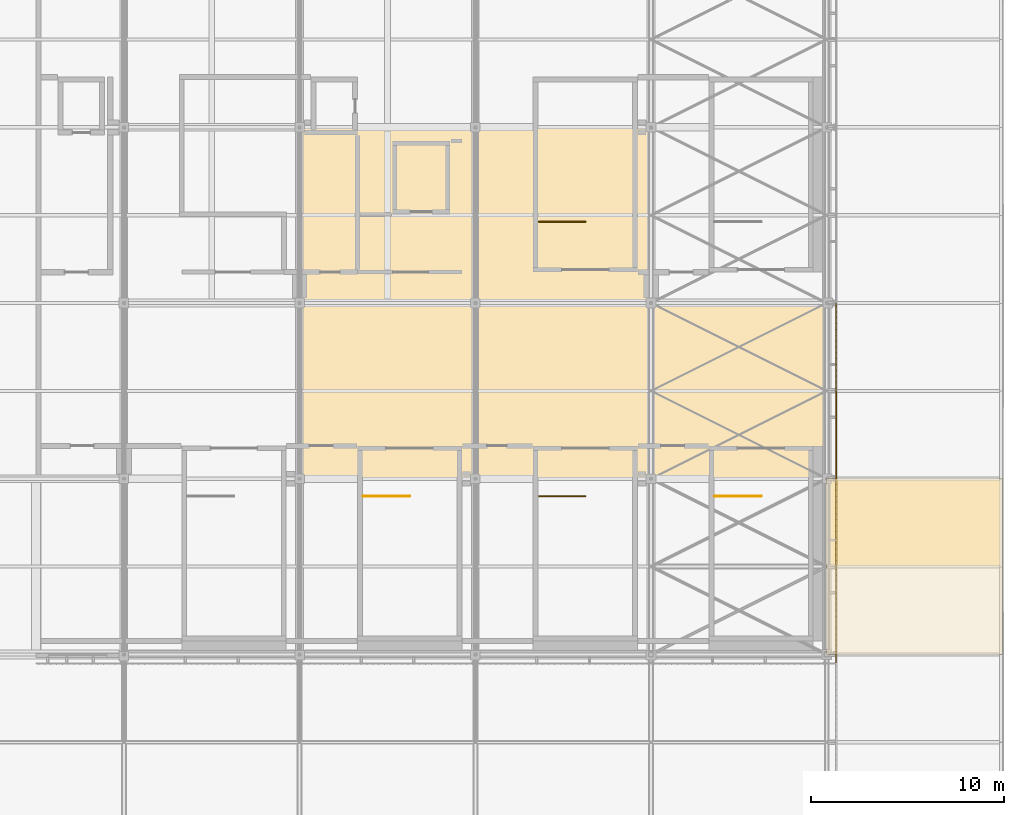
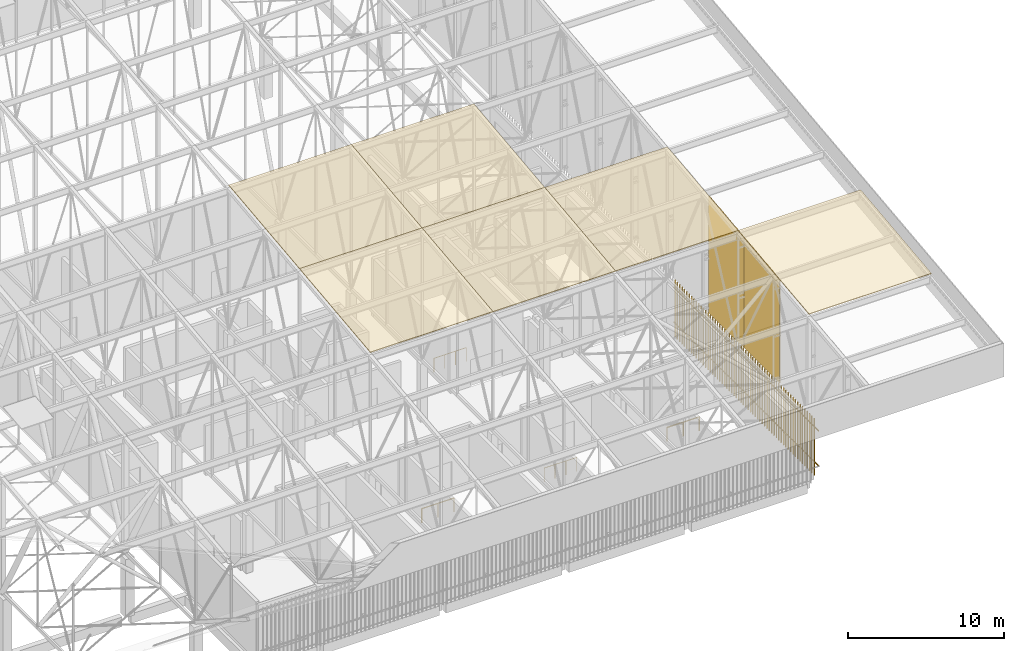
# One storey, part 487 of 500: 7 coverings, 4 railings, 4 shading devices.
"""IFC4 building model written with IfcOpenShell, lengths in metres."""

from ifc_helpers import new_model, si_unit, direction, frame, origin, origin_2d, place, context, subcontext, project, spatial, polyline, rectangle, circle, outline, extrude, material, layer, layer_set, type_object, element, save


model = new_model("IFC4")

# Units and contexts
model_context = context("Model", 3, precision=1e-05, world=origin(), true_north=direction((0.0, 1.0)))
body_context = subcontext(model_context, "Body", "Model", "MODEL_VIEW")
ifc_project = project(units=[si_unit("LENGTHUNIT", "METRE"), si_unit("AREAUNIT", "SQUARE_METRE"), si_unit("VOLUMEUNIT", "CUBIC_METRE"), si_unit("PLANEANGLEUNIT", "RADIAN"), si_unit("MASSUNIT", "GRAM", prefix="KILO")], contexts=[model_context])

# Site, building, storey
site_placement = place(None, origin())
site = spatial("IfcSite", under=ifc_project, at=site_placement, CompositionType="ELEMENT")
building_placement = place(site_placement, origin())
building = spatial("IfcBuilding", under=site, at=building_placement, Name="Shirokan Park Arena", CompositionType="ELEMENT")
storey_placement = place(building_placement, frame((0.0, 0.0, 29.1201171875)))
storey = spatial("IfcBuildingStorey", under=building, at=storey_placement, Name="L06", CompositionType="ELEMENT", Elevation=29.1201171875)

# Coverings
ifc_material_1 = material(Name="Bituminous roofing membrane")
ifc_layer_1 = layer(ifc_material_1, 0.010009765625, Name="Bituminous roofing membrane")
ifc_material_2 = material(Name="Mineral wool insulation")
ifc_layer_2 = layer(ifc_material_2, 0.050048828125, Name="Mineral wool insulation")
ifc_layer_set_1 = layer_set([ifc_layer_1, ifc_layer_2], Name="Bituminous roofing membrane + Mineral wool insulation")
covering_type_1 = type_object("IfcCoveringType", Name="Roofing membrane 60", PredefinedType="ROOFING", material=ifc_layer_set_1)
covering_1_placement = place(storey_placement, frame((118.300048828125, 9.10009765625, 13.970703125), z_axis=(0.0, -0.113552605302, 0.993531985308), x_axis=(1.0, 0.0, 0.0)))
element("IfcCovering", 1, at=covering_1_placement, inside=storey, type_object=covering_type_1, Name="Roofing", PredefinedType="ROOFING", context=body_context, shape_type="SweptSolid", body=[
    extrude(outline(polyline([(0.0, 0.0), (9.099853515625, 0.0), (9.099853515625, 9.159094674549365), (0.0, 9.159094674549365), (0.0, 0.0)])), origin(), (0.0, 0.0, -1.0), 0.06005859375),
])
covering_2_placement = place(storey_placement, frame((118.300048828125, 18.199951171875, 15.0107421875), z_axis=(0.0, -0.113549598152, 0.993532328996), x_axis=(1.0, 0.0, 0.0)))
element("IfcCovering", 2, at=covering_2_placement, inside=storey, type_object=covering_type_1, Name="Roofing", PredefinedType="ROOFING", context=body_context, shape_type="SweptSolid", body=[
    extrude(outline(polyline([(0.0, 0.0), (9.099853515625, 0.0), (9.099853515625, 9.15933723611117), (0.0, 9.15933723611117), (0.0, 0.0)])), origin(), (0.0, 0.0, -1.0), 0.06005859375),
])
covering_3_placement = place(storey_placement, frame((127.39990234375, 9.10009765625, 13.970703125), z_axis=(0.0, -0.113552605302, 0.993531985308), x_axis=(1.0, 0.0, 0.0)))
element("IfcCovering", 3, at=covering_3_placement, inside=storey, type_object=covering_type_1, Name="Roofing", PredefinedType="ROOFING", context=body_context, shape_type="SweptSolid", body=[
    extrude(outline(polyline([(0.0, 0.0), (9.10009765625, 0.0), (9.10009765625, 9.159094674549367), (0.0, 9.159094674549367), (0.0, 0.0)])), origin(), (0.0, 0.0, -1.0), 0.06005859375),
])
covering_4_placement = place(storey_placement, frame((127.39990234375, 18.199951171875, 15.0107421875), z_axis=(0.0, -0.113549598152, 0.993532328996), x_axis=(1.0, 0.0, 0.0)))
element("IfcCovering", 4, at=covering_4_placement, inside=storey, type_object=covering_type_1, Name="Roofing", PredefinedType="ROOFING", context=body_context, shape_type="SweptSolid", body=[
    extrude(outline(polyline([(0.0, 0.0), (9.10009765625, 0.0), (9.10009765625, 9.15933723611117), (0.0, 9.15933723611117), (0.0, 0.0)])), origin(), (0.0, 0.0, -1.0), 0.06005859375),
])
covering_5_placement = place(storey_placement, frame((136.5, 9.10009765625, 13.970703125), z_axis=(0.0, -0.113552605302, 0.993531985308), x_axis=(1.0, 0.0, 0.0)))
element("IfcCovering", 5, at=covering_5_placement, inside=storey, type_object=covering_type_1, Name="Roofing", PredefinedType="ROOFING", context=body_context, shape_type="SweptSolid", body=[
    extrude(outline(polyline([(0.0, 0.0), (9.10009765625, 0.0), (9.10009765625, 9.159094674549367), (0.0, 9.159094674549367), (0.0, 0.0)])), origin(), (0.0, 0.0, -1.0), 0.06005859375),
])
covering_6_placement = place(storey_placement, frame((145.60009765625, 0.0, 12.9306640625), z_axis=(0.0, -0.113549598152, 0.993532328996), x_axis=(1.0, 0.0, 0.0)))
element("IfcCovering", 6, at=covering_6_placement, inside=storey, type_object=covering_type_1, Name="Roofing", PredefinedType="ROOFING", context=body_context, shape_type="SweptSolid", body=[
    extrude(outline(polyline([(0.0, 0.0), (9.099853515625, 0.0), (9.099853515625, 9.15933723611117), (0.0, 9.15933723611117), (0.0, 0.0)])), origin(), (0.0, 0.0, -1.0), 0.06005859375),
])

# Railings
ifc_material_3 = material(Name="Stainless steel", Category="steel")
railing_type = type_object("IfcRailingType", Name="Stair well guard 1100", PredefinedType="GUARDRAIL", material=ifc_material_3)
railing_1_placement = place(storey_placement, frame((139.800048828125, 8.199951171875, 0.0)))
element("IfcRailing", 7, at=railing_1_placement, inside=storey, type_object=railing_type, Name="Guard Exit Stair 2.A L06", PredefinedType="GUARDRAIL", context=body_context, shape_type="SweptSolid", body=[
    extrude(circle(Radius=0.02490234375, at=origin_2d()), frame((0.0, 0.0, 1.0771484375), z_axis=(1.0, 0.0, 0.0), x_axis=(0.0, 1.0, 0.0)), (0.0, 0.0, 1.0), 2.39990234375),
    extrude(circle(Radius=0.02490234375, at=origin_2d()), origin(), (0.0, 0.0, 1.0), 1.052001953125),
    extrude(circle(Radius=0.02490234375, at=origin_2d()), frame((1.199951171875, 0.0, 0.0)), (0.0, 0.0, 1.0), 1.052001953125),
    extrude(circle(Radius=0.02490234375, at=origin_2d()), frame((2.39990234375, 0.0, 0.0)), (0.0, 0.0, 1.0), 1.052001953125),
])
railing_2_placement = place(storey_placement, frame((130.699951171875, 8.199951171875, 0.0)))
element("IfcRailing", 8, at=railing_2_placement, inside=storey, type_object=railing_type, Name="Guard Exit Stair 2.B L06", PredefinedType="GUARDRAIL", context=body_context, shape_type="SweptSolid", body=[
    extrude(circle(Radius=0.02490234375, at=origin_2d()), frame((0.0, 0.0, 1.0771484375), z_axis=(1.0, 0.0, 0.0), x_axis=(0.0, 1.0, 0.0)), (0.0, 0.0, 1.0), 2.400146484375),
    extrude(circle(Radius=0.02490234375, at=origin_2d()), origin(), (0.0, 0.0, 1.0), 1.052001953125),
    extrude(circle(Radius=0.02490234375, at=origin_2d()), frame((0.800048828125, 0.0, 0.0)), (0.0, 0.0, 1.0), 1.052001953125),
    extrude(circle(Radius=0.02490234375, at=origin_2d()), frame((1.60009765625, 0.0, 0.0)), (0.0, 0.0, 1.0), 1.052001953125),
    extrude(circle(Radius=0.02490234375, at=origin_2d()), frame((2.400146484375, 0.0, 0.0)), (0.0, 0.0, 1.0), 1.052001953125),
])
railing_3_placement = place(storey_placement, frame((121.60009765625, 8.199951171875, 0.0)))
element("IfcRailing", 9, at=railing_3_placement, inside=storey, type_object=railing_type, Name="Guard Exit Stair 2.C L06", PredefinedType="GUARDRAIL", context=body_context, shape_type="SweptSolid", body=[
    extrude(circle(Radius=0.02490234375, at=origin_2d()), frame((0.0, 0.0, 1.0771484375), z_axis=(1.0, 0.0, 0.0), x_axis=(0.0, 1.0, 0.0)), (0.0, 0.0, 1.0), 2.39990234375),
    extrude(circle(Radius=0.02490234375, at=origin_2d()), origin(), (0.0, 0.0, 1.0), 1.052001953125),
    extrude(circle(Radius=0.02490234375, at=origin_2d()), frame((1.199951171875, 0.0, 0.0)), (0.0, 0.0, 1.0), 1.052001953125),
    extrude(circle(Radius=0.02490234375, at=origin_2d()), frame((2.39990234375, 0.0, 0.0)), (0.0, 0.0, 1.0), 1.052001953125),
])
railing_4_placement = place(storey_placement, frame((130.699951171875, 22.39990234375, 0.0)))
element("IfcRailing", 10, at=railing_4_placement, inside=storey, type_object=railing_type, Name="Guard Exit Stair 2.F L06", PredefinedType="GUARDRAIL", context=body_context, shape_type="SweptSolid", body=[
    extrude(circle(Radius=0.02490234375, at=origin_2d()), frame((0.0, 0.0, 1.0771484375), z_axis=(1.0, 0.0, 0.0), x_axis=(0.0, 1.0, 0.0)), (0.0, 0.0, 1.0), 2.400146484375),
    extrude(circle(Radius=0.02490234375, at=origin_2d()), origin(), (0.0, 0.0, 1.0), 1.052001953125),
    extrude(circle(Radius=0.02490234375, at=origin_2d()), frame((0.800048828125, 0.0, 0.0)), (0.0, 0.0, 1.0), 1.052001953125),
    extrude(circle(Radius=0.02490234375, at=origin_2d()), frame((1.60009765625, 0.0, 0.0)), (0.0, 0.0, 1.0), 1.052001953125),
    extrude(circle(Radius=0.02490234375, at=origin_2d()), frame((2.400146484375, 0.0, 0.0)), (0.0, 0.0, 1.0), 1.052001953125),
])

# Covering
ifc_material_4 = material(Name="Timber soffit boards (cedar)", Category="wood")
ifc_layer_3 = layer(ifc_material_4, 0.030029296875)
ifc_layer_set_2 = layer_set([ifc_layer_3], Name="Timber soffit boards (cedar) 30 mm")
covering_type_2 = type_object("IfcCoveringType", Name="Timber boarded soffit panel", PredefinedType="CLADDING", material=ifc_layer_set_2)
covering_7_placement = place(storey_placement, origin())
element("IfcCovering", 11, at=covering_7_placement, inside=storey, type_object=covering_type_2, Name="Rake soffit east bay 4", PredefinedType="CLADDING", context=body_context, shape_type="SweptSolid", body=[
    extrude(outline(polyline([(0.0, 0.0), (0.12000000000000455, 0.0), (0.12000000000000455, -4.57961788799022), (0.0, -4.57961788799022), (0.0, 0.0)])), frame((145.846923828125, 4.550048828125, 12.741943359375), z_axis=(0.0, -0.113546591161, 0.993532672656), x_axis=(-1.0, 0.0, 0.0)), (0.0, 0.0, -1.0), 0.030029296875),
    extrude(outline(polyline([(0.0, 0.0), (0.11999999999997613, 0.0), (0.11999999999997613, -4.579617887990219), (0.0, -4.579617887990219), (0.0, 0.0)])), frame((154.580078125, 9.10009765625, 13.261962890625), z_axis=(0.0, -0.113546591161, 0.993532672656), x_axis=(1.0, 0.0, 0.0)), (0.0, 0.0, -1.0), 0.030029296875),
    extrude(outline(polyline([(0.0, 0.0), (0.12078064455863657, 0.0), (0.12078064455863657, -8.733000000000004), (0.0, -8.733000000000004), (0.0, 0.0)])), frame((154.580078125, 9.10009765625, 13.261962890625), z_axis=(0.0, -0.11351156512, 0.993536675007), x_axis=(0.0, -0.993536675007, -0.11351156512)), (0.0, 0.0, -1.0), 0.030029296875),
    extrude(outline(polyline([(0.0, 0.0), (0.12078064455863746, 0.0), (0.12078064455863746, -8.733000000000004), (0.0, -8.733000000000004), (0.0, 0.0)])), frame((145.846923828125, 4.550048828125, 12.741943359375), z_axis=(0.0, -0.11351156512, 0.993536675007), x_axis=(0.0, 0.993536675007, 0.11351156512)), (0.0, 0.0, -1.0), 0.030029296875),
    extrude(outline(polyline([(0.0, 0.0), (8.733000000000004, 0.0), (8.733000000000004, -0.1845242816000106), (0.0, -0.1845242816000106), (0.0, 0.0)])), frame((154.580078125, 4.669921875, 12.755615234375), z_axis=(0.0, -0.113589386818, 0.99352778079), x_axis=(-1.0, 0.0, 0.0)), (0.0, 0.0, -1.0), 0.030029296875),
    extrude(outline(polyline([(0.0, 0.0), (8.733000000000004, 0.0), (8.733000000000004, -0.3053137258624322), (0.0, -0.3053137258624322), (0.0, 0.0)])), frame((154.580078125, 4.853271484375, 12.776611328125), z_axis=(0.0, -0.113522573877, 0.993535417195), x_axis=(-1.0, 0.0, 0.0)), (0.0, 0.0, -1.0), 0.030029296875),
    extrude(outline(polyline([(0.0, 0.0), (8.733000000000004, 0.0), (8.733000000000004, -0.3053049259347117), (0.0, -0.3053049259347117), (0.0, 0.0)])), frame((154.580078125, 5.15673828125, 12.811279296875), z_axis=(0.0, -0.113558600124, 0.99353130013), x_axis=(-1.0, 0.0, 0.0)), (0.0, 0.0, -1.0), 0.030029296875),
    extrude(outline(polyline([(0.0, 0.0), (8.733000000000004, 0.0), (8.733000000000004, -0.3053049259347117), (0.0, -0.3053049259347117), (0.0, 0.0)])), frame((154.580078125, 5.4599609375, 12.845947265625), z_axis=(0.0, -0.113558600124, 0.99353130013), x_axis=(-1.0, 0.0, 0.0)), (0.0, 0.0, -1.0), 0.030029296875),
    extrude(outline(polyline([(0.0, 0.0), (8.733000000000004, 0.0), (8.733000000000004, -0.3053137258624322), (0.0, -0.3053137258624322), (0.0, 0.0)])), frame((154.580078125, 5.763427734375, 12.880615234375), z_axis=(0.0, -0.113522573877, 0.993535417195), x_axis=(-1.0, 0.0, 0.0)), (0.0, 0.0, -1.0), 0.030029296875),
    extrude(outline(polyline([(0.0, 0.0), (8.733000000000004, 0.0), (8.733000000000004, -0.3053049259347117), (0.0, -0.3053049259347117), (0.0, 0.0)])), frame((154.580078125, 6.066650390625, 12.915283203125), z_axis=(0.0, -0.113558600124, 0.99353130013), x_axis=(-1.0, 0.0, 0.0)), (0.0, 0.0, -1.0), 0.030029296875),
    extrude(outline(polyline([(0.0, 0.0), (8.733000000000004, 0.0), (8.733000000000004, -0.3053049259347117), (0.0, -0.3053049259347117), (0.0, 0.0)])), frame((154.580078125, 6.3701171875, 12.949951171875), z_axis=(0.0, -0.113558600124, 0.99353130013), x_axis=(-1.0, 0.0, 0.0)), (0.0, 0.0, -1.0), 0.030029296875),
    extrude(outline(polyline([(0.0, 0.0), (8.733000000000004, 0.0), (8.733000000000004, -0.3053137258624322), (0.0, -0.3053137258624322), (0.0, 0.0)])), frame((154.580078125, 6.67333984375, 12.984619140625), z_axis=(0.0, -0.113522573877, 0.993535417195), x_axis=(-1.0, 0.0, 0.0)), (0.0, 0.0, -1.0), 0.030029296875),
    extrude(outline(polyline([(0.0, 0.0), (8.733000000000004, 0.0), (8.733000000000004, -0.3053049259347117), (0.0, -0.3053049259347117), (0.0, 0.0)])), frame((154.580078125, 6.9765625, 13.019287109375), z_axis=(0.0, -0.113558600124, 0.99353130013), x_axis=(-1.0, 0.0, 0.0)), (0.0, 0.0, -1.0), 0.030029296875),
    extrude(outline(polyline([(0.0, 0.0), (8.733000000000004, 0.0), (8.733000000000004, -0.3053049259347117), (0.0, -0.3053049259347117), (0.0, 0.0)])), frame((154.580078125, 7.280029296875, 13.053955078125), z_axis=(0.0, -0.113558600124, 0.99353130013), x_axis=(-1.0, 0.0, 0.0)), (0.0, 0.0, -1.0), 0.030029296875),
    extrude(outline(polyline([(0.0, 0.0), (8.733000000000004, 0.0), (8.733000000000004, -0.30531372586243133), (0.0, -0.30531372586243133), (0.0, 0.0)])), frame((154.580078125, 7.583251953125, 13.088623046875), z_axis=(0.0, -0.113522573877, 0.993535417195), x_axis=(-1.0, 0.0, 0.0)), (0.0, 0.0, -1.0), 0.030029296875),
    extrude(outline(polyline([(0.0, 0.0), (8.733000000000004, 0.0), (8.733000000000004, -0.30530492593471176), (0.0, -0.30530492593471176), (0.0, 0.0)])), frame((154.580078125, 7.88671875, 13.123291015625), z_axis=(0.0, -0.113558600124, 0.99353130013), x_axis=(-1.0, 0.0, 0.0)), (0.0, 0.0, -1.0), 0.030029296875),
    extrude(outline(polyline([(0.0, 0.0), (8.733000000000004, 0.0), (8.733000000000004, -0.30530492593471265), (0.0, -0.30530492593471265), (0.0, 0.0)])), frame((154.580078125, 8.18994140625, 13.157958984375), z_axis=(0.0, -0.113558600124, 0.99353130013), x_axis=(-1.0, 0.0, 0.0)), (0.0, 0.0, -1.0), 0.030029296875),
    extrude(outline(polyline([(0.0, 0.0), (8.733000000000004, 0.0), (8.733000000000004, -0.3053137258624322), (0.0, -0.3053137258624322), (0.0, 0.0)])), frame((154.580078125, 8.493408203125, 13.192626953125), z_axis=(0.0, -0.113522573877, 0.993535417195), x_axis=(-1.0, 0.0, 0.0)), (0.0, 0.0, -1.0), 0.030029296875),
    extrude(outline(polyline([(0.0, 0.0), (0.1845242816000106, 0.0), (0.1845242816000106, -8.733000000000004), (0.0, -8.733000000000004), (0.0, 0.0)])), frame((154.580078125, 8.97998046875, 13.248291015625), z_axis=(0.0, -0.113589386818, 0.99352778079), x_axis=(0.0, -0.99352778079, -0.113589386818)), (0.0, 0.0, -1.0), 0.030029296875),
])

# Shading devices
ifc_material_5 = material(Name="Timber louvre veil (cedar)", Category="wood")
shading_device_type_1 = type_object("IfcShadingDeviceType", Name="Timber louvre veil panel", PredefinedType="JALOUSIE", material=ifc_material_5)
shading_device_1_placement = place(storey_placement, origin())
element("IfcShadingDevice", 12, at=shading_device_1_placement, inside=storey, type_object=shading_device_type_1, Name="Timber louvre veil east bay 1 L06", PredefinedType="JALOUSIE", context=body_context, shape_type="SweptSolid", body=[
    extrude(rectangle(XDim=0.050048828125, YDim=0.080078125, at=origin_2d()), frame((146.0849609375, 0.151611328125, 0.0), z_axis=(0.0, 0.0, 1.0), x_axis=(0.0, 1.0, 0.0)), (0.0, 0.0, 1.0), 4.5),
    extrude(rectangle(XDim=0.050048828125, YDim=0.080078125, at=origin_2d()), frame((146.0849609375, 0.455078125, 0.0), z_axis=(0.0, 0.0, 1.0), x_axis=(0.0, 1.0, 0.0)), (0.0, 0.0, 1.0), 4.5),
    extrude(rectangle(XDim=0.050048828125, YDim=0.080078125, at=origin_2d()), frame((146.0849609375, 0.75830078125, 0.0), z_axis=(0.0, 0.0, 1.0), x_axis=(0.0, 1.0, 0.0)), (0.0, 0.0, 1.0), 4.5),
    extrude(rectangle(XDim=0.050048828125, YDim=0.080078125, at=origin_2d()), frame((146.0849609375, 1.061767578125, 0.0), z_axis=(0.0, 0.0, 1.0), x_axis=(0.0, 1.0, 0.0)), (0.0, 0.0, 1.0), 4.5),
    extrude(rectangle(XDim=0.050048828125, YDim=0.080078125, at=origin_2d()), frame((146.0849609375, 1.364990234375, 0.0), z_axis=(0.0, 0.0, 1.0), x_axis=(0.0, 1.0, 0.0)), (0.0, 0.0, 1.0), 4.5),
    extrude(rectangle(XDim=0.050048828125, YDim=0.080078125, at=origin_2d()), frame((146.0849609375, 1.668212890625, 0.0), z_axis=(0.0, 0.0, 1.0), x_axis=(0.0, 1.0, 0.0)), (0.0, 0.0, 1.0), 4.5),
    extrude(rectangle(XDim=0.050048828125, YDim=0.080078125, at=origin_2d()), frame((146.0849609375, 1.9716796875, 0.0), z_axis=(0.0, 0.0, 1.0), x_axis=(0.0, 1.0, 0.0)), (0.0, 0.0, 1.0), 4.5),
    extrude(rectangle(XDim=0.050048828125, YDim=0.080078125, at=origin_2d()), frame((146.0849609375, 2.27490234375, 0.0), z_axis=(0.0, 0.0, 1.0), x_axis=(0.0, 1.0, 0.0)), (0.0, 0.0, 1.0), 4.5),
    extrude(rectangle(XDim=0.050048828125, YDim=0.080078125, at=origin_2d()), frame((146.0849609375, 2.578369140625, 0.0), z_axis=(0.0, 0.0, 1.0), x_axis=(0.0, 1.0, 0.0)), (0.0, 0.0, 1.0), 4.5),
    extrude(rectangle(XDim=0.050048828125, YDim=0.080078125, at=origin_2d()), frame((146.0849609375, 2.881591796875, 0.0), z_axis=(0.0, 0.0, 1.0), x_axis=(0.0, 1.0, 0.0)), (0.0, 0.0, 1.0), 4.5),
    extrude(rectangle(XDim=0.050048828125, YDim=0.080078125, at=origin_2d()), frame((146.0849609375, 3.18505859375, 0.0), z_axis=(0.0, 0.0, 1.0), x_axis=(0.0, 1.0, 0.0)), (0.0, 0.0, 1.0), 4.5),
    extrude(rectangle(XDim=0.050048828125, YDim=0.080078125, at=origin_2d()), frame((146.0849609375, 3.48828125, 0.0), z_axis=(0.0, 0.0, 1.0), x_axis=(0.0, 1.0, 0.0)), (0.0, 0.0, 1.0), 4.5),
    extrude(rectangle(XDim=0.050048828125, YDim=0.080078125, at=origin_2d()), frame((146.0849609375, 3.791748046875, 0.0), z_axis=(0.0, 0.0, 1.0), x_axis=(0.0, 1.0, 0.0)), (0.0, 0.0, 1.0), 4.5),
    extrude(rectangle(XDim=0.050048828125, YDim=0.080078125, at=origin_2d()), frame((146.0849609375, 4.094970703125, 0.0), z_axis=(0.0, 0.0, 1.0), x_axis=(0.0, 1.0, 0.0)), (0.0, 0.0, 1.0), 4.5),
    extrude(rectangle(XDim=0.050048828125, YDim=0.080078125, at=origin_2d()), frame((146.0849609375, 4.3984375, 0.0), z_axis=(0.0, 0.0, 1.0), x_axis=(0.0, 1.0, 0.0)), (0.0, 0.0, 1.0), 4.5),
    extrude(rectangle(XDim=0.050048828125, YDim=0.080078125, at=origin_2d()), frame((146.0849609375, 4.70166015625, 0.0), z_axis=(0.0, 0.0, 1.0), x_axis=(0.0, 1.0, 0.0)), (0.0, 0.0, 1.0), 4.5),
    extrude(rectangle(XDim=0.050048828125, YDim=0.080078125, at=origin_2d()), frame((146.0849609375, 5.0048828125, 0.0), z_axis=(0.0, 0.0, 1.0), x_axis=(0.0, 1.0, 0.0)), (0.0, 0.0, 1.0), 4.5),
    extrude(rectangle(XDim=0.050048828125, YDim=0.080078125, at=origin_2d()), frame((146.0849609375, 5.308349609375, 0.0), z_axis=(0.0, 0.0, 1.0), x_axis=(0.0, 1.0, 0.0)), (0.0, 0.0, 1.0), 4.5),
    extrude(rectangle(XDim=0.050048828125, YDim=0.080078125, at=origin_2d()), frame((146.0849609375, 5.611572265625, 0.0), z_axis=(0.0, 0.0, 1.0), x_axis=(0.0, 1.0, 0.0)), (0.0, 0.0, 1.0), 4.5),
    extrude(rectangle(XDim=0.050048828125, YDim=0.080078125, at=origin_2d()), frame((146.0849609375, 5.9150390625, 0.0), z_axis=(0.0, 0.0, 1.0), x_axis=(0.0, 1.0, 0.0)), (0.0, 0.0, 1.0), 4.5),
    extrude(rectangle(XDim=0.050048828125, YDim=0.080078125, at=origin_2d()), frame((146.0849609375, 6.21826171875, 0.0), z_axis=(0.0, 0.0, 1.0), x_axis=(0.0, 1.0, 0.0)), (0.0, 0.0, 1.0), 4.5),
    extrude(rectangle(XDim=0.050048828125, YDim=0.080078125, at=origin_2d()), frame((146.0849609375, 6.521728515625, 0.0), z_axis=(0.0, 0.0, 1.0), x_axis=(0.0, 1.0, 0.0)), (0.0, 0.0, 1.0), 4.5),
    extrude(rectangle(XDim=0.050048828125, YDim=0.080078125, at=origin_2d()), frame((146.0849609375, 6.824951171875, 0.0), z_axis=(0.0, 0.0, 1.0), x_axis=(0.0, 1.0, 0.0)), (0.0, 0.0, 1.0), 4.5),
    extrude(rectangle(XDim=0.050048828125, YDim=0.080078125, at=origin_2d()), frame((146.0849609375, 7.12841796875, 0.0), z_axis=(0.0, 0.0, 1.0), x_axis=(0.0, 1.0, 0.0)), (0.0, 0.0, 1.0), 4.5),
    extrude(rectangle(XDim=0.050048828125, YDim=0.080078125, at=origin_2d()), frame((146.0849609375, 7.431640625, 0.0), z_axis=(0.0, 0.0, 1.0), x_axis=(0.0, 1.0, 0.0)), (0.0, 0.0, 1.0), 4.5),
    extrude(rectangle(XDim=0.050048828125, YDim=0.080078125, at=origin_2d()), frame((146.0849609375, 7.735107421875, 0.0), z_axis=(0.0, 0.0, 1.0), x_axis=(0.0, 1.0, 0.0)), (0.0, 0.0, 1.0), 4.5),
    extrude(rectangle(XDim=0.050048828125, YDim=0.080078125, at=origin_2d()), frame((146.0849609375, 8.038330078125, 0.0), z_axis=(0.0, 0.0, 1.0), x_axis=(0.0, 1.0, 0.0)), (0.0, 0.0, 1.0), 4.5),
    extrude(rectangle(XDim=0.050048828125, YDim=0.080078125, at=origin_2d()), frame((146.0849609375, 8.341552734375, 0.0), z_axis=(0.0, 0.0, 1.0), x_axis=(0.0, 1.0, 0.0)), (0.0, 0.0, 1.0), 4.5),
    extrude(rectangle(XDim=0.050048828125, YDim=0.080078125, at=origin_2d()), frame((146.0849609375, 8.64501953125, 0.0), z_axis=(0.0, 0.0, 1.0), x_axis=(0.0, 1.0, 0.0)), (0.0, 0.0, 1.0), 4.5),
    extrude(rectangle(XDim=0.050048828125, YDim=0.080078125, at=origin_2d()), frame((146.0849609375, 8.9482421875, 0.0), z_axis=(0.0, 0.0, 1.0), x_axis=(0.0, 1.0, 0.0)), (0.0, 0.0, 1.0), 4.5),
    extrude(rectangle(XDim=9.544921875, YDim=0.050048828125, at=origin_2d()), frame((146.070068359375, 4.327392578125, 1.059814453125), z_axis=(0.0, 0.0, 1.0), x_axis=(0.0, 1.0, 0.0)), (0.0, 0.0, 1.0), 0.080078125),
    extrude(rectangle(XDim=9.544921875, YDim=0.050048828125, at=origin_2d()), frame((146.070068359375, 4.327392578125, 3.809814453125), z_axis=(0.0, 0.0, 1.0), x_axis=(0.0, 1.0, 0.0)), (0.0, 0.0, 1.0), 0.080078125),
])
shading_device_2_placement = place(storey_placement, origin())
element("IfcShadingDevice", 13, at=shading_device_2_placement, inside=storey, type_object=shading_device_type_1, Name="Timber louvre veil east bay 2 L06", PredefinedType="JALOUSIE", context=body_context, shape_type="SweptSolid", body=[
    extrude(rectangle(XDim=0.050048828125, YDim=0.080078125, at=origin_2d()), frame((146.0849609375, 9.251708984375, 0.0), z_axis=(0.0, 0.0, 1.0), x_axis=(0.0, 1.0, 0.0)), (0.0, 0.0, 1.0), 4.5),
    extrude(rectangle(XDim=0.050048828125, YDim=0.080078125, at=origin_2d()), frame((146.0849609375, 9.554931640625, 0.0), z_axis=(0.0, 0.0, 1.0), x_axis=(0.0, 1.0, 0.0)), (0.0, 0.0, 1.0), 4.5),
    extrude(rectangle(XDim=0.050048828125, YDim=0.080078125, at=origin_2d()), frame((146.0849609375, 9.8583984375, 0.0), z_axis=(0.0, 0.0, 1.0), x_axis=(0.0, 1.0, 0.0)), (0.0, 0.0, 1.0), 4.5),
    extrude(rectangle(XDim=0.050048828125, YDim=0.080078125, at=origin_2d()), frame((146.0849609375, 10.16162109375, 0.0), z_axis=(0.0, 0.0, 1.0), x_axis=(0.0, 1.0, 0.0)), (0.0, 0.0, 1.0), 4.5),
    extrude(rectangle(XDim=0.050048828125, YDim=0.080078125, at=origin_2d()), frame((146.0849609375, 10.465087890625, 0.0), z_axis=(0.0, 0.0, 1.0), x_axis=(0.0, 1.0, 0.0)), (0.0, 0.0, 1.0), 4.5),
    extrude(rectangle(XDim=0.050048828125, YDim=0.080078125, at=origin_2d()), frame((146.0849609375, 10.768310546875, 0.0), z_axis=(0.0, 0.0, 1.0), x_axis=(0.0, 1.0, 0.0)), (0.0, 0.0, 1.0), 4.5),
    extrude(rectangle(XDim=0.050048828125, YDim=0.080078125, at=origin_2d()), frame((146.0849609375, 11.07177734375, 0.0), z_axis=(0.0, 0.0, 1.0), x_axis=(0.0, 1.0, 0.0)), (0.0, 0.0, 1.0), 4.5),
    extrude(rectangle(XDim=0.050048828125, YDim=0.080078125, at=origin_2d()), frame((146.0849609375, 11.375, 0.0), z_axis=(0.0, 0.0, 1.0), x_axis=(0.0, 1.0, 0.0)), (0.0, 0.0, 1.0), 4.5),
    extrude(rectangle(XDim=0.050048828125, YDim=0.080078125, at=origin_2d()), frame((146.0849609375, 11.67822265625, 0.0), z_axis=(0.0, 0.0, 1.0), x_axis=(0.0, 1.0, 0.0)), (0.0, 0.0, 1.0), 4.5),
    extrude(rectangle(XDim=0.050048828125, YDim=0.080078125, at=origin_2d()), frame((146.0849609375, 11.981689453125, 0.0), z_axis=(0.0, 0.0, 1.0), x_axis=(0.0, 1.0, 0.0)), (0.0, 0.0, 1.0), 4.5),
    extrude(rectangle(XDim=0.050048828125, YDim=0.080078125, at=origin_2d()), frame((146.0849609375, 12.284912109375, 0.0), z_axis=(0.0, 0.0, 1.0), x_axis=(0.0, 1.0, 0.0)), (0.0, 0.0, 1.0), 4.5),
    extrude(rectangle(XDim=0.050048828125, YDim=0.080078125, at=origin_2d()), frame((146.0849609375, 12.58837890625, 0.0), z_axis=(0.0, 0.0, 1.0), x_axis=(0.0, 1.0, 0.0)), (0.0, 0.0, 1.0), 4.5),
    extrude(rectangle(XDim=0.050048828125, YDim=0.080078125, at=origin_2d()), frame((146.0849609375, 12.8916015625, 0.0), z_axis=(0.0, 0.0, 1.0), x_axis=(0.0, 1.0, 0.0)), (0.0, 0.0, 1.0), 4.5),
    extrude(rectangle(XDim=0.050048828125, YDim=0.080078125, at=origin_2d()), frame((146.0849609375, 13.195068359375, 0.0), z_axis=(0.0, 0.0, 1.0), x_axis=(0.0, 1.0, 0.0)), (0.0, 0.0, 1.0), 4.5),
    extrude(rectangle(XDim=0.050048828125, YDim=0.080078125, at=origin_2d()), frame((146.0849609375, 13.498291015625, 0.0), z_axis=(0.0, 0.0, 1.0), x_axis=(0.0, 1.0, 0.0)), (0.0, 0.0, 1.0), 4.5),
    extrude(rectangle(XDim=0.050048828125, YDim=0.080078125, at=origin_2d()), frame((146.0849609375, 13.8017578125, 0.0), z_axis=(0.0, 0.0, 1.0), x_axis=(0.0, 1.0, 0.0)), (0.0, 0.0, 1.0), 4.5),
    extrude(rectangle(XDim=0.050048828125, YDim=0.080078125, at=origin_2d()), frame((146.0849609375, 14.10498046875, 0.0), z_axis=(0.0, 0.0, 1.0), x_axis=(0.0, 1.0, 0.0)), (0.0, 0.0, 1.0), 4.5),
    extrude(rectangle(XDim=0.050048828125, YDim=0.080078125, at=origin_2d()), frame((146.0849609375, 14.408447265625, 0.0), z_axis=(0.0, 0.0, 1.0), x_axis=(0.0, 1.0, 0.0)), (0.0, 0.0, 1.0), 4.5),
    extrude(rectangle(XDim=0.050048828125, YDim=0.080078125, at=origin_2d()), frame((146.0849609375, 14.711669921875, 0.0), z_axis=(0.0, 0.0, 1.0), x_axis=(0.0, 1.0, 0.0)), (0.0, 0.0, 1.0), 4.5),
    extrude(rectangle(XDim=0.050048828125, YDim=0.080078125, at=origin_2d()), frame((146.0849609375, 15.014892578125, 0.0), z_axis=(0.0, 0.0, 1.0), x_axis=(0.0, 1.0, 0.0)), (0.0, 0.0, 1.0), 4.5),
    extrude(rectangle(XDim=0.050048828125, YDim=0.080078125, at=origin_2d()), frame((146.0849609375, 15.318359375, 0.0), z_axis=(0.0, 0.0, 1.0), x_axis=(0.0, 1.0, 0.0)), (0.0, 0.0, 1.0), 4.5),
    extrude(rectangle(XDim=0.050048828125, YDim=0.080078125, at=origin_2d()), frame((146.0849609375, 15.62158203125, 0.0), z_axis=(0.0, 0.0, 1.0), x_axis=(0.0, 1.0, 0.0)), (0.0, 0.0, 1.0), 4.5),
    extrude(rectangle(XDim=0.050048828125, YDim=0.080078125, at=origin_2d()), frame((146.0849609375, 15.925048828125, 0.0), z_axis=(0.0, 0.0, 1.0), x_axis=(0.0, 1.0, 0.0)), (0.0, 0.0, 1.0), 4.5),
    extrude(rectangle(XDim=0.050048828125, YDim=0.080078125, at=origin_2d()), frame((146.0849609375, 16.228271484375, 0.0), z_axis=(0.0, 0.0, 1.0), x_axis=(0.0, 1.0, 0.0)), (0.0, 0.0, 1.0), 4.5),
    extrude(rectangle(XDim=0.050048828125, YDim=0.080078125, at=origin_2d()), frame((146.0849609375, 16.53173828125, 0.0), z_axis=(0.0, 0.0, 1.0), x_axis=(0.0, 1.0, 0.0)), (0.0, 0.0, 1.0), 4.5),
    extrude(rectangle(XDim=0.050048828125, YDim=0.080078125, at=origin_2d()), frame((146.0849609375, 16.8349609375, 0.0), z_axis=(0.0, 0.0, 1.0), x_axis=(0.0, 1.0, 0.0)), (0.0, 0.0, 1.0), 4.5),
    extrude(rectangle(XDim=0.050048828125, YDim=0.080078125, at=origin_2d()), frame((146.0849609375, 17.138427734375, 0.0), z_axis=(0.0, 0.0, 1.0), x_axis=(0.0, 1.0, 0.0)), (0.0, 0.0, 1.0), 4.5),
    extrude(rectangle(XDim=0.050048828125, YDim=0.080078125, at=origin_2d()), frame((146.0849609375, 17.441650390625, 0.0), z_axis=(0.0, 0.0, 1.0), x_axis=(0.0, 1.0, 0.0)), (0.0, 0.0, 1.0), 4.5),
    extrude(rectangle(XDim=0.050048828125, YDim=0.080078125, at=origin_2d()), frame((146.0849609375, 17.7451171875, 0.0), z_axis=(0.0, 0.0, 1.0), x_axis=(0.0, 1.0, 0.0)), (0.0, 0.0, 1.0), 4.5),
    extrude(rectangle(XDim=0.050048828125, YDim=0.080078125, at=origin_2d()), frame((146.0849609375, 18.04833984375, 0.0), z_axis=(0.0, 0.0, 1.0), x_axis=(0.0, 1.0, 0.0)), (0.0, 0.0, 1.0), 4.5),
    extrude(rectangle(XDim=9.10009765625, YDim=0.050048828125, at=origin_2d()), frame((146.070068359375, 13.64990234375, 1.059814453125), z_axis=(0.0, 0.0, 1.0), x_axis=(0.0, 1.0, 0.0)), (0.0, 0.0, 1.0), 0.080078125),
    extrude(rectangle(XDim=9.10009765625, YDim=0.050048828125, at=origin_2d()), frame((146.070068359375, 13.64990234375, 3.809814453125), z_axis=(0.0, 0.0, 1.0), x_axis=(0.0, 1.0, 0.0)), (0.0, 0.0, 1.0), 0.080078125),
])
shading_device_type_2 = type_object("IfcShadingDeviceType", Name="Timber louvre veil panel, gable band, closed", PredefinedType="JALOUSIE", material=ifc_material_5)
shading_device_3_placement = place(storey_placement, origin())
element("IfcShadingDevice", 14, at=shading_device_3_placement, inside=storey, type_object=shading_device_type_2, Name="Timber louvre veil gable band east bay 4", PredefinedType="JALOUSIE", context=body_context, shape_type="SweptSolid", body=[
    extrude(outline(polyline([(4.853271484375, 12.7119140625), (4.550048828125, 12.7119140625), (4.550048828125, 4.575927734375), (9.10009765625, 4.575927734375), (9.10009765625, 13.197265625), (8.796630859375, 13.197265625), (8.796630859375, 13.16259765625), (8.493408203125, 13.16259765625), (8.493408203125, 13.1279296875), (8.18994140625, 13.1279296875), (8.18994140625, 13.09326171875), (7.88671875, 13.09326171875), (7.88671875, 13.05859375), (7.583251953125, 13.05859375), (7.583251953125, 13.02392578125), (7.280029296875, 13.02392578125), (7.280029296875, 12.9892578125), (6.9765625, 12.9892578125), (6.9765625, 12.95458984375), (6.67333984375, 12.95458984375), (6.67333984375, 12.919921875), (6.3701171875, 12.919921875), (6.3701171875, 12.88525390625), (6.066650390625, 12.88525390625), (6.066650390625, 12.8505859375), (5.763427734375, 12.8505859375), (5.763427734375, 12.81591796875), (5.4599609375, 12.81591796875), (5.4599609375, 12.78125), (5.15673828125, 12.78125), (5.15673828125, 12.74658203125), (4.853271484375, 12.74658203125), (4.853271484375, 12.7119140625)])), frame((146.044921875, 0.0, 0.0), z_axis=(1.0, 0.0, 0.0), x_axis=(0.0, 1.0, 0.0)), (0.0, 0.0, 1.0), 0.080078125),
    extrude(rectangle(XDim=0.050048828125, YDim=4.550048828125, at=origin_2d()), frame((146.070068359375, 6.824951171875, 4.98583984375), z_axis=(0.0, 0.0, 1.0), x_axis=(1.0, 0.0, 0.0)), (0.0, 0.0, 1.0), 0.080078125),
    extrude(rectangle(XDim=0.050048828125, YDim=4.550048828125, at=origin_2d()), frame((146.070068359375, 6.824951171875, 8.603759765625), z_axis=(0.0, 0.0, 1.0), x_axis=(1.0, 0.0, 0.0)), (0.0, 0.0, 1.0), 0.080078125),
    extrude(rectangle(XDim=0.050048828125, YDim=4.550048828125, at=origin_2d()), frame((146.070068359375, 6.824951171875, 12.57177734375), z_axis=(0.0, 0.0, 1.0), x_axis=(1.0, 0.0, 0.0)), (0.0, 0.0, 1.0), 0.080078125),
])
shading_device_4_placement = place(storey_placement, origin())
element("IfcShadingDevice", 15, at=shading_device_4_placement, inside=storey, type_object=shading_device_type_2, Name="Timber louvre veil gable band east bay 5", PredefinedType="JALOUSIE", context=body_context, shape_type="SweptSolid", body=[
    extrude(outline(polyline([(9.4033203125, 13.23193359375), (9.10009765625, 13.23193359375), (9.10009765625, 4.575927734375), (13.64990234375, 4.575927734375), (13.64990234375, 13.71728515625), (13.3466796875, 13.71728515625), (13.3466796875, 13.6826171875), (13.043212890625, 13.6826171875), (13.043212890625, 13.64794921875), (12.739990234375, 13.64794921875), (12.739990234375, 13.61328125), (12.436767578125, 13.61328125), (12.436767578125, 13.57861328125), (12.13330078125, 13.57861328125), (12.13330078125, 13.5439453125), (11.830078125, 13.5439453125), (11.830078125, 13.50927734375), (11.526611328125, 13.50927734375), (11.526611328125, 13.474609375), (11.223388671875, 13.474609375), (11.223388671875, 13.43994140625), (10.919921875, 13.43994140625), (10.919921875, 13.4052734375), (10.61669921875, 13.4052734375), (10.61669921875, 13.37060546875), (10.313232421875, 13.37060546875), (10.313232421875, 13.3359375), (10.010009765625, 13.3359375), (10.010009765625, 13.30126953125), (9.706787109375, 13.30126953125), (9.706787109375, 13.2666015625), (9.4033203125, 13.2666015625), (9.4033203125, 13.23193359375)])), frame((146.044921875, 0.0, 0.0), z_axis=(1.0, 0.0, 0.0), x_axis=(0.0, 1.0, 0.0)), (0.0, 0.0, 1.0), 0.080078125),
    extrude(rectangle(XDim=0.050048828125, YDim=4.550048828125, at=origin_2d()), frame((146.070068359375, 11.375, 4.98583984375), z_axis=(0.0, 0.0, 1.0), x_axis=(1.0, 0.0, 0.0)), (0.0, 0.0, 1.0), 0.080078125),
    extrude(rectangle(XDim=0.050048828125, YDim=4.550048828125, at=origin_2d()), frame((146.070068359375, 11.375, 8.86376953125), z_axis=(0.0, 0.0, 1.0), x_axis=(1.0, 0.0, 0.0)), (0.0, 0.0, 1.0), 0.080078125),
    extrude(rectangle(XDim=0.050048828125, YDim=4.550048828125, at=origin_2d()), frame((146.070068359375, 11.375, 13.091796875), z_axis=(0.0, 0.0, 1.0), x_axis=(1.0, 0.0, 0.0)), (0.0, 0.0, 1.0), 0.080078125),
])

save(model, "model.ifc")
